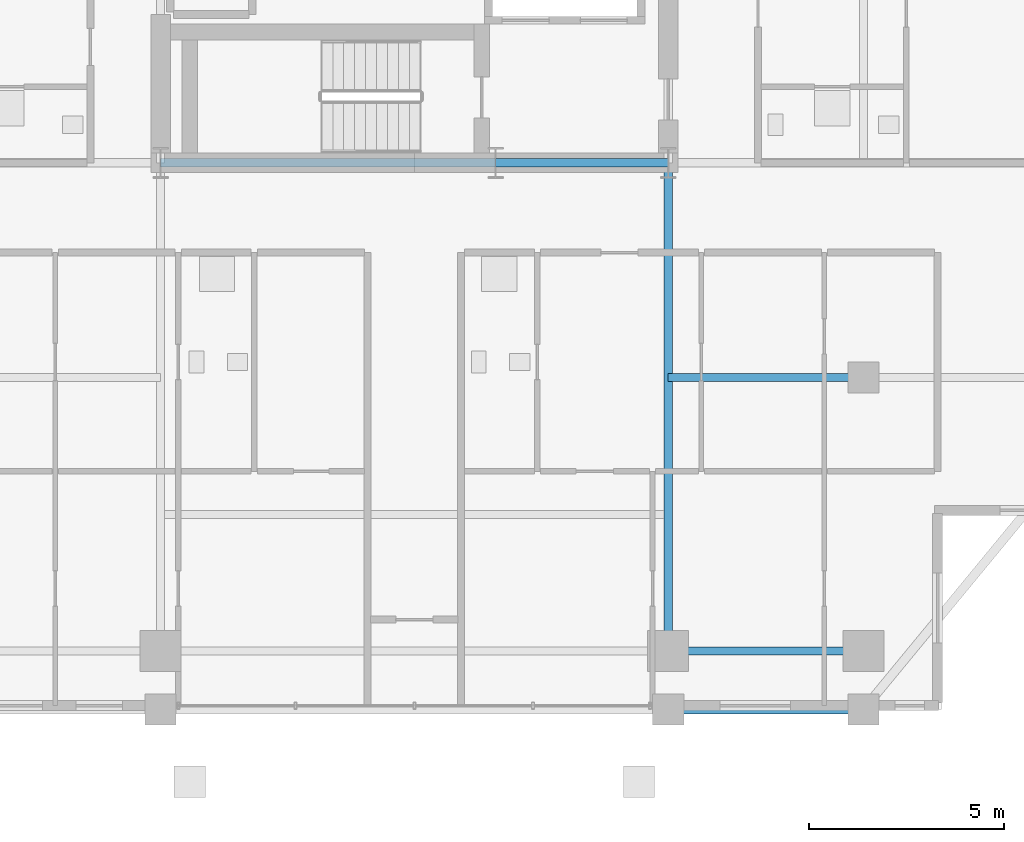
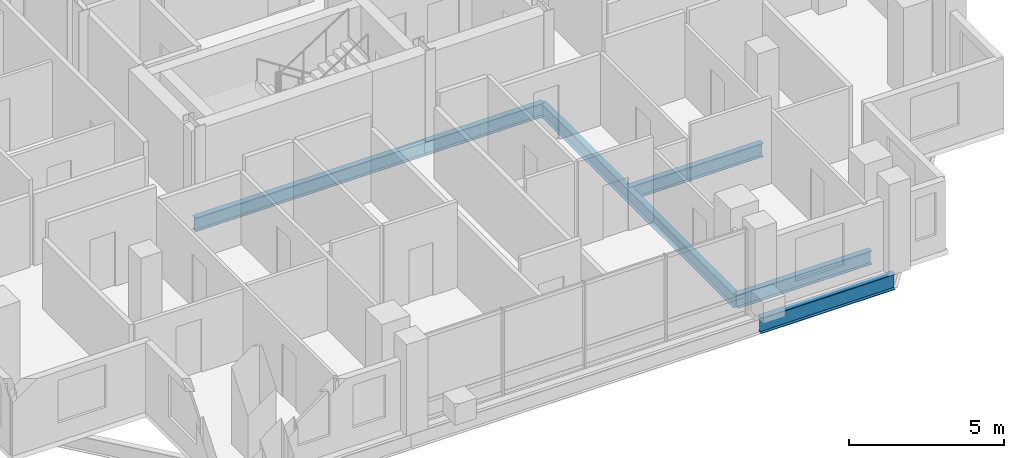
# One storey, part 5 of 24: 6 beams.
"""IFC4 building model written with IfcOpenShell, lengths in metres."""

from ifc_helpers import new_model, si_unit, direction, frame, origin, origin_2d, place, context, subcontext, project, spatial, i_section, extrude, material, material_profile, profile_set, type_object, element, save


model = new_model("IFC4")

# Units and contexts
model_context = context("Model", 3, precision=1e-05, world=origin(), true_north=direction((0.0, 1.0)))
body_context = subcontext(model_context, "Body", "Model", "MODEL_VIEW")
ifc_project = project(units=[si_unit("LENGTHUNIT", "METRE"), si_unit("AREAUNIT", "SQUARE_METRE"), si_unit("VOLUMEUNIT", "CUBIC_METRE"), si_unit("PLANEANGLEUNIT", "RADIAN"), si_unit("MASSUNIT", "GRAM", prefix="KILO")], contexts=[model_context])

# Site, building, storey
site_placement = place(None, origin())
site = spatial("IfcSite", under=ifc_project, at=site_placement, CompositionType="ELEMENT")
building_placement = place(site_placement, origin())
building = spatial("IfcBuilding", under=site, at=building_placement, Name="Barlavira Tower and Art Museum", CompositionType="ELEMENT")
storey_placement = place(building_placement, frame((0.0, 0.0, 169.199951171875)))
storey = spatial("IfcBuildingStorey", under=building, at=storey_placement, Name="L43", CompositionType="ELEMENT", Elevation=169.199951171875)

# Beams
ifc_material = material(Name="Steel S355", Category="steel")
ifc_material_profile_1 = material_profile(ifc_material, i_section(OverallWidth=0.22998046875, OverallDepth=0.616943359375, WebThickness=0.01318359375, FlangeThickness=0.022216796875, at=origin_2d()), Name="W610x140.0")
ifc_profile_set_1 = profile_set([ifc_material_profile_1], Name="Steel S355")
beam_type_1 = type_object("IfcBeamType", Name="Upper Shaft Spandrel Edge Beam W610x140 Steel S355", PredefinedType="SPANDREL", material=ifc_profile_set_1)
beam_1_placement = place(storey_placement, frame((6.5, -21.5, -0.528564453125), z_axis=(1.0, 0.0, 0.0), x_axis=(0.0, 1.0, 0.0)))
element("IfcBeam", 1, at=beam_1_placement, inside=storey, type_object=beam_type_1, Name="L43 Spandrel 3", PredefinedType="SPANDREL", context=body_context, shape_type="SweptSolid", body=[
    extrude(i_section(OverallWidth=0.22998046875, OverallDepth=0.616943359375, WebThickness=0.01318359375, FlangeThickness=0.022216796875, at=origin_2d()), origin(), (0.0, 0.0, 1.0), 5.0),
])
ifc_material_profile_2 = material_profile(ifc_material, i_section(OverallWidth=0.2109375, OverallDepth=0.5390625, WebThickness=0.01171875, FlangeThickness=0.018798828125, at=origin_2d()), Name="W530x109.0")
ifc_profile_set_2 = profile_set([ifc_material_profile_2], Name="Steel S355")
beam_type_2 = type_object("IfcBeamType", Name="Zone 3-4 Primary Floor Girder W530x109 Steel S355", PredefinedType="BEAM", material=ifc_profile_set_2)
beam_2_placement = place(storey_placement, frame((-6.5, -7.5, -0.489501953125), z_axis=(1.0, 0.0, 0.0), x_axis=(0.0, 1.0, 0.0)))
element("IfcBeam", 2, at=beam_2_placement, inside=storey, type_object=beam_type_2, Name="L43 Girder C-S1", PredefinedType="BEAM", context=body_context, shape_type="SweptSolid", body=[
    extrude(i_section(OverallWidth=0.2109375, OverallDepth=0.5390625, WebThickness=0.01171875, FlangeThickness=0.018798828125, at=origin_2d()), origin(), (0.0, 0.0, 1.0), 8.580078125),
])
beam_3_placement = place(storey_placement, frame((2.080078125, -7.5, -0.489501953125), z_axis=(1.0, 0.0, 0.0), x_axis=(0.0, 1.0, 0.0)))
element("IfcBeam", 3, at=beam_3_placement, inside=storey, type_object=beam_type_2, Name="L43 Girder C-S2", PredefinedType="BEAM", context=body_context, shape_type="SweptSolid", body=[
    extrude(i_section(OverallWidth=0.2109375, OverallDepth=0.5390625, WebThickness=0.01171875, FlangeThickness=0.018798828125, at=origin_2d()), origin(), (0.0, 0.0, 1.0), 4.419921875),
])
beam_4_placement = place(storey_placement, frame((6.5, -20.0, -0.489501953125), z_axis=(1.0, 0.0, 0.0), x_axis=(0.0, 1.0, 0.0)))
element("IfcBeam", 4, at=beam_4_placement, inside=storey, type_object=beam_type_2, Name="L43 Girder M-S3", PredefinedType="BEAM", context=body_context, shape_type="SweptSolid", body=[
    extrude(i_section(OverallWidth=0.2109375, OverallDepth=0.5390625, WebThickness=0.01171875, FlangeThickness=0.018798828125, at=origin_2d()), origin(), (0.0, 0.0, 1.0), 5.0),
])
beam_5_placement = place(storey_placement, frame((6.5, -20.0, -0.489501953125), z_axis=(0.0, 1.0, 0.0), x_axis=(-1.0, 0.0, 0.0)))
element("IfcBeam", 5, at=beam_5_placement, inside=storey, type_object=beam_type_2, Name="L43 Girder R-S2", PredefinedType="BEAM", context=body_context, shape_type="SweptSolid", body=[
    extrude(i_section(OverallWidth=0.2109375, OverallDepth=0.5390625, WebThickness=0.01171875, FlangeThickness=0.018798828125, at=origin_2d()), origin(), (0.0, 0.0, 1.0), 12.5),
])
beam_6_placement = place(storey_placement, frame((6.5, -13.0, -0.489501953125), z_axis=(1.0, 0.0, 0.0), x_axis=(0.0, 1.0, 0.0)))
element("IfcBeam", 6, at=beam_6_placement, inside=storey, type_object=beam_type_2, Name="L43 Girder I-S3", PredefinedType="BEAM", context=body_context, shape_type="SweptSolid", body=[
    extrude(i_section(OverallWidth=0.2109375, OverallDepth=0.5390625, WebThickness=0.01171875, FlangeThickness=0.018798828125, at=origin_2d()), origin(), (0.0, 0.0, 1.0), 5.0),
])

save(model, "model.ifc")
